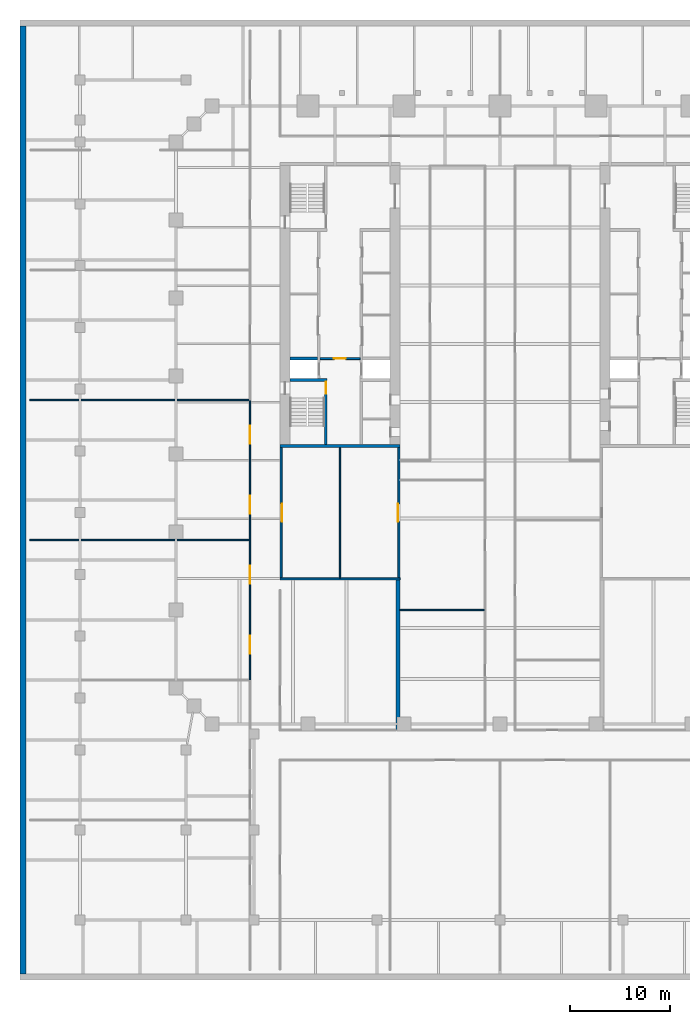
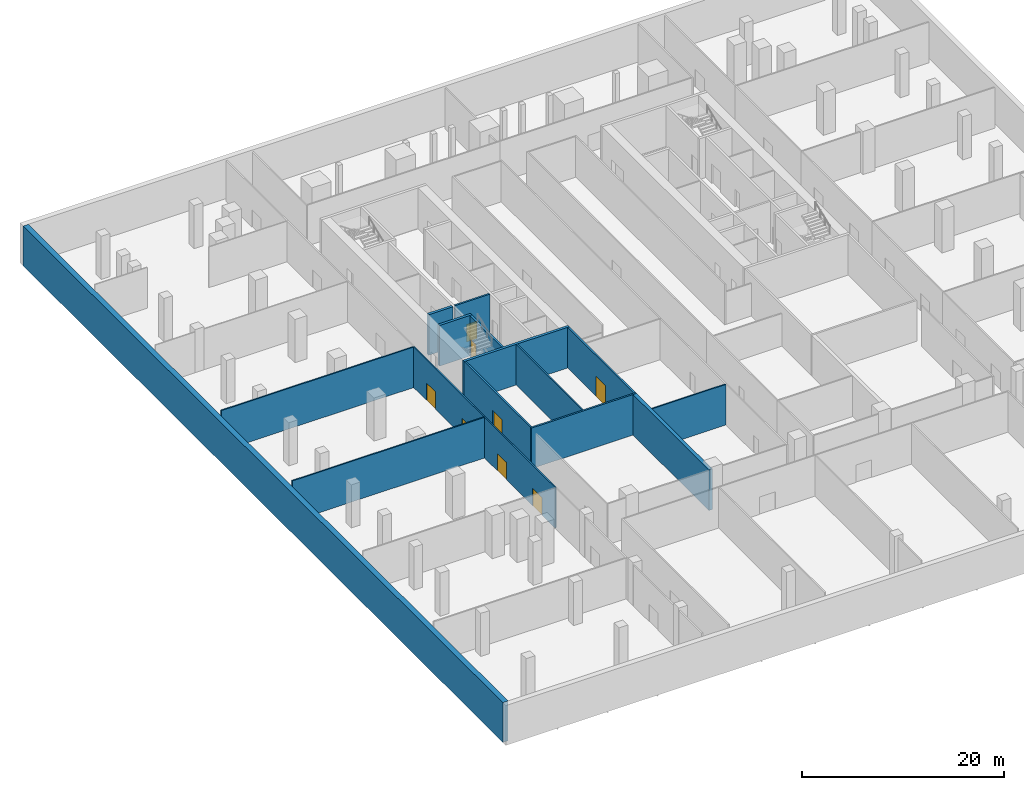
# One storey, part 8 of 15: 16 walls, 8 doors, 8 openings.
"""IFC4 building model written with IfcOpenShell, lengths in metres."""

from ifc_helpers import new_model, si_unit, direction, frame, frame_2d, origin, place, context, subcontext, project, spatial, rectangle, extrude, material, layer, layer_set, type_object, element, fill, save


model = new_model("IFC4")

# Units and contexts
model_context = context("Model", 3, precision=1e-05, world=origin(), true_north=direction((0.0, 1.0)))
body_context = subcontext(model_context, "Body", "Model", "MODEL_VIEW")
ifc_project = project(units=[si_unit("LENGTHUNIT", "METRE"), si_unit("AREAUNIT", "SQUARE_METRE"), si_unit("VOLUMEUNIT", "CUBIC_METRE"), si_unit("PLANEANGLEUNIT", "RADIAN"), si_unit("MASSUNIT", "GRAM", prefix="KILO")], contexts=[model_context])

# Site, building, storey
site_placement = place(None, origin())
site = spatial("IfcSite", under=ifc_project, at=site_placement, CompositionType="ELEMENT")
building_placement = place(site_placement, origin())
building = spatial("IfcBuilding", under=site, at=building_placement, Name="Ogive Exchange Tower", CompositionType="ELEMENT")
storey_placement = place(building_placement, frame((0.0, 0.0, -5.199951171875)))
storey = spatial("IfcBuildingStorey", under=building, at=storey_placement, Name="B1", CompositionType="ELEMENT", Elevation=-5.199951171875)

# Walls
ifc_material_1 = material(Name="Concrete C50/60", Category="concrete")
ifc_layer_1 = layer(ifc_material_1, 0.60009765625)
ifc_layer_set_1 = layer_set([ifc_layer_1], Name="Concrete C50/60 retaining wall 600")
wall_type_1 = type_object("IfcWallType", Name="Concrete C50/60 retaining wall 600", PredefinedType="SOLIDWALL", material=ifc_layer_set_1)
wall_1_placement = place(storey_placement, frame((-47.699951171875, -55.39990234375, 0.0), z_axis=(0.0, 0.0, 1.0), x_axis=(0.0, 1.0, 0.0)))
element("IfcWall", 1, at=wall_1_placement, inside=storey, type_object=wall_type_1, Name="Retaining wall W", PredefinedType="SOLIDWALL", context=body_context, shape_type="SweptSolid", body=[
    extrude(rectangle(XDim=94.7998046875, YDim=0.60009765625, at=frame_2d((47.39990234375, 0.0))), origin(), (0.0, 0.0, 1.0), 4.800048828125),
])
ifc_material_2 = material(Name="Concrete C70/85", Category="concrete")
ifc_layer_2 = layer(ifc_material_2, 0.39990234375)
ifc_layer_set_2 = layer_set([ifc_layer_2], Name="Concrete C70/85 spine wall 400")
wall_type_2 = type_object("IfcWallType", Name="Concrete C70/85 spine wall 400", PredefinedType="SHEAR", material=ifc_layer_set_2)
wall_2_placement = place(storey_placement, frame((-10.199951171875, -31.0, 0.0), z_axis=(0.0, 0.0, 1.0), x_axis=(0.0, 1.0, 0.0)))
element("IfcWall", 2, at=wall_2_placement, inside=storey, type_object=wall_type_2, Name="Spine wall SW", PredefinedType="SHEAR", context=body_context, shape_type="SweptSolid", body=[
    extrude(rectangle(XDim=15.0, YDim=0.39990234375, at=frame_2d((7.5, 0.0))), origin(), (0.0, 0.0, 1.0), 4.89990234375),
])
ifc_material_3 = material(Name="Gypsum board partition")
ifc_layer_3 = layer(ifc_material_3, 0.14990234375)
ifc_layer_set_3 = layer_set([ifc_layer_3], Name="Core room partition 150 gypsum")
wall_type_3 = type_object("IfcWallType", Name="Core room partition 150 gypsum", PredefinedType="PARTITIONING", material=ifc_layer_set_3)
wall_3_placement = place(storey_placement, frame((-16.0, -15.800048828125, 0.0), z_axis=(0.0, 0.0, 1.0), x_axis=(0.0, 1.0, 0.0)))
element("IfcWall", 3, at=wall_3_placement, inside=storey, type_object=wall_type_3, Name="W annex S column wall", PredefinedType="PARTITIONING", context=body_context, shape_type="SweptSolid", body=[
    extrude(rectangle(XDim=13.050048828125, YDim=0.14990234375, at=frame_2d((6.52490234375, 0.0))), origin(), (0.0, 0.0, 1.0), 4.89990234375),
])
ifc_material_4 = material(Name="Fire partition EI 60 150")
ifc_layer_4 = layer(ifc_material_4, 0.14990234375)
ifc_layer_set_4 = layer_set([ifc_layer_4], Name="Fire partition EI 60 150")
wall_type_4 = type_object("IfcWallType", Name="Fire partition EI 60 150", PredefinedType="PARTITIONING", material=ifc_layer_set_4)
wall_4_placement = place(storey_placement, frame((-10.0, -19.0, 0.0), z_axis=(0.0, 0.0, 1.0), x_axis=(1.0, 0.0, 0.0)))
element("IfcWall", 4, at=wall_4_placement, inside=storey, type_object=wall_type_4, Name="B1-PWL-018", PredefinedType="PARTITIONING", context=body_context, shape_type="SweptSolid", body=[
    extrude(rectangle(XDim=8.425048828125, YDim=0.14990234375, at=frame_2d((4.21240234375, 0.0))), origin(), (0.0, 0.0, 1.0), 4.89990234375),
])
for number, where, z_axis, x_axis, name in (
    (5, (-47.0, -12.0, 0.0), (0.0, 0.0, 1.0), (1.0, 0.0, 0.0), "B1-PWL-021"),
    (6, (-47.0, 2.0, 0.0), (0.0, 0.0, 1.0), (1.0, 0.0, 0.0), "B1-PWL-027"),
):
    element("IfcWall", number, at=place(storey_placement, frame(where, z_axis=z_axis, x_axis=x_axis)), inside=storey, type_object=wall_type_4, Name=name, PredefinedType="PARTITIONING", context=body_context, shape_type="SweptSolid", body=[
        extrude(rectangle(XDim=21.925048828125, YDim=0.14990234375, at=frame_2d((10.96240234375, 0.0))), origin(), (0.0, 0.0, 1.0), 4.89990234375),
    ])

# Wall, openings, doors
wall_5_placement = place(storey_placement, frame((-25.0, -26.0, 0.0), z_axis=(0.0, 0.0, 1.0), x_axis=(0.0, 1.0, 0.0)))
wall_5 = element("IfcWall", 7, at=wall_5_placement, inside=storey, type_object=wall_type_4, Name="B1-PWL-044", PredefinedType="PARTITIONING", context=body_context, shape_type="SweptSolid", body=[
    extrude(rectangle(XDim=14.0, YDim=0.14990234375, at=frame_2d((7.0, 0.0))), origin(), (0.0, 0.0, 1.0), 4.89990234375),
])
opening_1_placement = place(wall_5_placement, frame((2.60009765625, 0.0, 0.0)))
opening_1 = element("IfcOpeningElement", 8, at=opening_1_placement, cuts=wall_5, Name="Opening B1-I04", PredefinedType="OPENING", context=body_context, shape_type="SweptSolid", body=[
    extrude(rectangle(XDim=1.800048828125, YDim=2.10009765625, at=frame_2d((0.89990234375, 1.050048828125))), frame((0.0, 0.0849609375, 0.0), z_axis=(0.0, -1.0, 0.0), x_axis=(1.0, 0.0, 0.0)), (0.0, 0.0, 1.0), 0.169921875),
])
opening_2_placement = place(wall_5_placement, frame((9.60009765625, 0.0, 0.0)))
opening_2 = element("IfcOpeningElement", 9, at=opening_2_placement, cuts=wall_5, Name="Opening B1-I05", PredefinedType="OPENING", context=body_context, shape_type="SweptSolid", body=[
    extrude(rectangle(XDim=1.800048828125, YDim=2.10009765625, at=frame_2d((0.89990234375, 1.050048828125))), frame((0.0, 0.0849609375, 0.0), z_axis=(0.0, -1.0, 0.0), x_axis=(1.0, 0.0, 0.0)), (0.0, 0.0, 1.0), 0.169921875),
])
ifc_material_5 = material(Name="Fire door FD 30S 1800 x 2100")
door_type_1 = type_object("IfcDoorType", Name="Fire door FD 30S 1800 x 2100", OperationType="DOUBLE_DOOR_SINGLE_SWING", PredefinedType="DOOR", material=ifc_material_5)
door_1_placement = place(opening_1_placement, frame((1.800048828125, 0.0, 0.0), z_axis=(0.0, 0.0, 1.0), x_axis=(-1.0, 0.0, 0.0)))
door_1 = element("IfcDoor", 10, at=door_1_placement, inside=storey, type_object=door_type_1, Name="B1-IDR-004", ObjectType="DT4", OperationType="SINGLE_SWING_LEFT", OverallHeight=2.10009765625, OverallWidth=1.800048828125, PredefinedType="DOOR", context=body_context, shape_type="SweptSolid", body=[
    extrude(rectangle(XDim=1.800048828125, YDim=2.10009765625, at=frame_2d((0.89990234375, 1.050048828125))), frame((0.0, 0.02490234375, 0.0), z_axis=(0.0, -1.0, 0.0), x_axis=(1.0, 0.0, 0.0)), (0.0, 0.0, 1.0), 0.050048828125),
])
fill(opening_1, door_1)
door_2_placement = place(opening_2_placement, frame((1.800048828125, 0.0, 0.0), z_axis=(0.0, 0.0, 1.0), x_axis=(-1.0, 0.0, 0.0)))
door_2 = element("IfcDoor", 11, at=door_2_placement, inside=storey, type_object=door_type_1, Name="B1-IDR-005", ObjectType="DT4", OperationType="SINGLE_SWING_LEFT", OverallHeight=2.10009765625, OverallWidth=1.800048828125, PredefinedType="DOOR", context=body_context, shape_type="SweptSolid", body=[
    extrude(rectangle(XDim=1.800048828125, YDim=2.10009765625, at=frame_2d((0.89990234375, 1.050048828125))), frame((0.0, 0.02490234375, 0.0), z_axis=(0.0, -1.0, 0.0), x_axis=(1.0, 0.0, 0.0)), (0.0, 0.0, 1.0), 0.050048828125),
])
fill(opening_2, door_2)

wall_6_placement = place(storey_placement, frame((-25.0, -12.0, 0.0), z_axis=(0.0, 0.0, 1.0), x_axis=(0.0, 1.0, 0.0)))
wall_6 = element("IfcWall", 12, at=wall_6_placement, inside=storey, type_object=wall_type_4, Name="B1-PWL-045", PredefinedType="PARTITIONING", context=body_context, shape_type="SweptSolid", body=[
    extrude(rectangle(XDim=14.0, YDim=0.14990234375, at=frame_2d((7.0, 0.0))), origin(), (0.0, 0.0, 1.0), 4.89990234375),
])
opening_3_placement = place(wall_6_placement, frame((2.60009765625, 0.0, 0.0)))
opening_3 = element("IfcOpeningElement", 13, at=opening_3_placement, cuts=wall_6, Name="Opening B1-I06", PredefinedType="OPENING", context=body_context, shape_type="SweptSolid", body=[
    extrude(rectangle(XDim=1.800048828125, YDim=2.10009765625, at=frame_2d((0.89990234375, 1.050048828125))), frame((0.0, 0.0849609375, 0.0), z_axis=(0.0, -1.0, 0.0), x_axis=(1.0, 0.0, 0.0)), (0.0, 0.0, 1.0), 0.169921875),
])
opening_4_placement = place(wall_6_placement, frame((9.60009765625, 0.0, 0.0)))
opening_4 = element("IfcOpeningElement", 14, at=opening_4_placement, cuts=wall_6, Name="Opening B1-I07", PredefinedType="OPENING", context=body_context, shape_type="SweptSolid", body=[
    extrude(rectangle(XDim=1.800048828125, YDim=2.10009765625, at=frame_2d((0.89990234375, 1.050048828125))), frame((0.0, 0.0849609375, 0.0), z_axis=(0.0, -1.0, 0.0), x_axis=(1.0, 0.0, 0.0)), (0.0, 0.0, 1.0), 0.169921875),
])
door_3_placement = place(opening_3_placement, frame((1.800048828125, 0.0, 0.0), z_axis=(0.0, 0.0, 1.0), x_axis=(-1.0, 0.0, 0.0)))
door_3 = element("IfcDoor", 15, at=door_3_placement, inside=storey, type_object=door_type_1, Name="B1-IDR-006", ObjectType="DT4", OperationType="SINGLE_SWING_LEFT", OverallHeight=2.10009765625, OverallWidth=1.800048828125, PredefinedType="DOOR", context=body_context, shape_type="SweptSolid", body=[
    extrude(rectangle(XDim=1.800048828125, YDim=2.10009765625, at=frame_2d((0.89990234375, 1.050048828125))), frame((0.0, 0.02490234375, 0.0), z_axis=(0.0, -1.0, 0.0), x_axis=(1.0, 0.0, 0.0)), (0.0, 0.0, 1.0), 0.050048828125),
])
fill(opening_3, door_3)
door_4_placement = place(opening_4_placement, frame((1.800048828125, 0.0, 0.0), z_axis=(0.0, 0.0, 1.0), x_axis=(-1.0, 0.0, 0.0)))
door_4 = element("IfcDoor", 16, at=door_4_placement, inside=storey, type_object=door_type_1, Name="B1-IDR-007", ObjectType="DT4", OperationType="SINGLE_SWING_LEFT", OverallHeight=2.10009765625, OverallWidth=1.800048828125, PredefinedType="DOOR", context=body_context, shape_type="SweptSolid", body=[
    extrude(rectangle(XDim=1.800048828125, YDim=2.10009765625, at=frame_2d((0.89990234375, 1.050048828125))), frame((0.0, 0.02490234375, 0.0), z_axis=(0.0, -1.0, 0.0), x_axis=(1.0, 0.0, 0.0)), (0.0, 0.0, 1.0), 0.050048828125),
])
fill(opening_4, door_4)

# Wall, opening, door
ifc_layer_5 = layer(ifc_material_2, 0.199951171875)
ifc_layer_set_5 = layer_set([ifc_layer_5], Name="RC core wall 200 C70/85")
wall_type_5 = type_object("IfcWallType", Name="RC core wall 200 C70/85", PredefinedType="SHEAR", material=ifc_layer_set_5)
wall_7_placement = place(storey_placement, frame((-18.0, 6.142822265625, 0.0), z_axis=(0.0, 0.0, 1.0), x_axis=(1.0, 0.0, 0.0)))
wall_7 = element("IfcWall", 17, at=wall_7_placement, inside=storey, type_object=wall_type_5, Name="W firefighting lobby wall", PredefinedType="SHEAR", context=body_context, shape_type="SweptSolid", body=[
    extrude(rectangle(XDim=4.0, YDim=0.199951171875, at=frame_2d((2.0, 0.0))), origin(), (0.0, 0.0, 1.0), 4.89990234375),
])
opening_5_placement = place(wall_7_placement, frame((1.39990234375, 0.0, 0.0)))
opening_5 = element("IfcOpeningElement", 18, at=opening_5_placement, cuts=wall_7, Name="Opening B1-C08", PredefinedType="OPENING", context=body_context, shape_type="SweptSolid", body=[
    extrude(rectangle(XDim=1.199951171875, YDim=2.10009765625, at=frame_2d((0.60009765625, 1.050048828125))), frame((0.0, 0.10986328125, 0.0), z_axis=(0.0, -1.0, 0.0), x_axis=(1.0, 0.0, 0.0)), (0.0, 0.0, 1.0), 0.219970703125),
])
ifc_material_6 = material(Name="Steel fire door", Category="steel")
door_type_2 = type_object("IfcDoorType", Name="Firefighting lobby door FD60 1200 x 2100", OperationType="NOTDEFINED", PredefinedType="DOOR", material=ifc_material_6)
door_5_placement = place(opening_5_placement, frame((1.199951171875, 0.0, 0.0), z_axis=(0.0, 0.0, 1.0), x_axis=(-1.0, 0.0, 0.0)))
door_5 = element("IfcDoor", 19, at=door_5_placement, inside=storey, type_object=door_type_2, Name="Firefighting lobby door", ObjectType="CD3", OperationType="SINGLE_SWING_RIGHT", OverallHeight=2.10009765625, OverallWidth=1.199951171875, PredefinedType="DOOR", context=body_context, shape_type="SweptSolid", body=[
    extrude(rectangle(XDim=1.199951171875, YDim=2.10009765625, at=frame_2d((0.60009765625, 1.050048828125))), frame((0.0, 0.02490234375, 0.0), z_axis=(0.0, -1.0, 0.0), x_axis=(1.0, 0.0, 0.0)), (0.0, 0.0, 1.0), 0.050048828125),
])
fill(opening_5, door_5)

wall_8_placement = place(storey_placement, frame((-21.89990234375, -15.800048828125, 0.0), z_axis=(0.0, 0.0, 1.0), x_axis=(0.0, 1.0, 0.0)))
wall_8 = element("IfcWall", 20, at=wall_8_placement, inside=storey, type_object=wall_type_5, Name="W annex S outer wall", PredefinedType="SHEAR", context=body_context, shape_type="SweptSolid", body=[
    extrude(rectangle(XDim=13.050048828125, YDim=0.199951171875, at=frame_2d((6.52490234375, 0.0))), origin(), (0.0, 0.0, 1.0), 4.89990234375),
])
opening_6_placement = place(wall_8_placement, frame((5.625, 0.0, 0.0)))
opening_6 = element("IfcOpeningElement", 21, at=opening_6_placement, cuts=wall_8, Name="Opening B1-C16", PredefinedType="OPENING", context=body_context, shape_type="SweptSolid", body=[
    extrude(rectangle(XDim=1.800048828125, YDim=2.39990234375, at=frame_2d((0.89990234375, 1.199951171875))), frame((0.0, 0.10986328125, 0.0), z_axis=(0.0, -1.0, 0.0), x_axis=(1.0, 0.0, 0.0)), (0.0, 0.0, 1.0), 0.219970703125),
])
door_type_3 = type_object("IfcDoorType", Name="Plant room door FD60 1800 x 2400", OperationType="DOUBLE_DOOR_SINGLE_SWING", PredefinedType="DOOR", material=ifc_material_6)
door_6_placement = place(opening_6_placement, frame((1.800048828125, -0.14990234375, 0.0), z_axis=(0.0, 0.0, 1.0), x_axis=(-1.0, 0.0, 0.0)))
door_6 = element("IfcDoor", 22, at=door_6_placement, inside=storey, type_object=door_type_3, Name="Plant room door", ObjectType="CD1", OperationType="DOUBLE_DOOR_SINGLE_SWING", OverallHeight=2.39990234375, OverallWidth=1.800048828125, PredefinedType="DOOR", context=body_context, shape_type="SweptSolid", body=[
    extrude(rectangle(XDim=1.800048828125, YDim=2.39990234375, at=frame_2d((0.89990234375, 1.199951171875))), frame((0.0, -0.0498046875, 0.0), z_axis=(0.0, -1.0, 0.0), x_axis=(1.0, 0.0, 0.0)), (0.0, 0.0, 1.0), 0.050048828125),
])
fill(opening_6, door_6)

wall_9_placement = place(storey_placement, frame((-10.10009765625, -15.800048828125, 0.0), z_axis=(0.0, 0.0, 1.0), x_axis=(0.0, 1.0, 0.0)))
wall_9 = element("IfcWall", 23, at=wall_9_placement, inside=storey, type_object=wall_type_5, Name="W annex S inner wall", PredefinedType="SHEAR", context=body_context, shape_type="SweptSolid", body=[
    extrude(rectangle(XDim=13.050048828125, YDim=0.199951171875, at=frame_2d((6.52490234375, 0.0))), origin(), (0.0, 0.0, 1.0), 4.89990234375),
])
opening_7_placement = place(wall_9_placement, frame((5.625, 0.0, 0.0)))
opening_7 = element("IfcOpeningElement", 24, at=opening_7_placement, cuts=wall_9, Name="Opening B1-C17", PredefinedType="OPENING", context=body_context, shape_type="SweptSolid", body=[
    extrude(rectangle(XDim=1.800048828125, YDim=2.39990234375, at=frame_2d((0.89990234375, 1.199951171875))), frame((0.0, 0.10986328125, 0.0), z_axis=(0.0, -1.0, 0.0), x_axis=(1.0, 0.0, 0.0)), (0.0, 0.0, 1.0), 0.219970703125),
])
door_7_placement = place(opening_7_placement, origin())
door_7 = element("IfcDoor", 25, at=door_7_placement, inside=storey, type_object=door_type_3, Name="Plant room door", ObjectType="CD1", OperationType="DOUBLE_DOOR_SINGLE_SWING", OverallHeight=2.39990234375, OverallWidth=1.800048828125, PredefinedType="DOOR", context=body_context, shape_type="SweptSolid", body=[
    extrude(rectangle(XDim=1.800048828125, YDim=2.39990234375, at=frame_2d((0.89990234375, 1.199951171875))), frame((0.0, 0.10009765625, 0.0), z_axis=(0.0, -1.0, 0.0), x_axis=(1.0, 0.0, 0.0)), (0.0, 0.0, 1.0), 0.050048828125),
])
fill(opening_7, door_7)

# Wall
wall_10_placement = place(storey_placement, frame((-22.0, -15.89990234375, 0.0), z_axis=(0.0, 0.0, 1.0), x_axis=(1.0, 0.0, 0.0)))
element("IfcWall", 26, at=wall_10_placement, inside=storey, type_object=wall_type_5, Name="W annex S end wall", PredefinedType="SHEAR", context=body_context, shape_type="SweptSolid", body=[
    extrude(rectangle(XDim=12.0, YDim=0.199951171875, at=frame_2d((6.0, 0.0))), origin(), (0.0, 0.0, 1.0), 4.89990234375),
])

# Wall, opening, door
ifc_layer_6 = layer(ifc_material_2, 0.25)
ifc_layer_set_6 = layer_set([ifc_layer_6], Name="RC core wall 250 C70/85")
wall_type_6 = type_object("IfcWallType", Name="RC core wall 250 C70/85", PredefinedType="SHEAR", material=ifc_layer_set_6)
wall_11_placement = place(storey_placement, frame((-17.425048828125, -2.449951171875, 0.0), z_axis=(0.0, 0.0, 1.0), x_axis=(0.0, 1.0, 0.0)))
wall_11 = element("IfcWall", 27, at=wall_11_placement, inside=storey, type_object=wall_type_6, Name="W stair S front wall", PredefinedType="SHEAR", context=body_context, shape_type="SweptSolid", body=[
    extrude(rectangle(XDim=6.300048828125, YDim=0.25, at=frame_2d((3.14990234375, 0.0))), origin(), (0.0, 0.0, 1.0), 4.89990234375),
])
opening_8_placement = place(wall_11_placement, frame((5.050048828125, 0.0, 0.0)))
opening_8 = element("IfcOpeningElement", 28, at=opening_8_placement, cuts=wall_11, Name="Opening B1-C10", PredefinedType="OPENING", context=body_context, shape_type="SweptSolid", body=[
    extrude(rectangle(XDim=1.199951171875, YDim=2.10009765625, at=frame_2d((0.60009765625, 1.050048828125))), frame((0.0, 0.135009765625, 0.0), z_axis=(0.0, -1.0, 0.0), x_axis=(1.0, 0.0, 0.0)), (0.0, 0.0, 1.0), 0.27001953125),
])
door_type_4 = type_object("IfcDoorType", Name="Stair door FD90 1200 x 2100", OperationType="NOTDEFINED", PredefinedType="DOOR", material=ifc_material_6)
door_8_placement = place(opening_8_placement, origin())
door_8 = element("IfcDoor", 29, at=door_8_placement, inside=storey, type_object=door_type_4, Name="Stair door", ObjectType="CD5", OperationType="SINGLE_SWING_LEFT", OverallHeight=2.10009765625, OverallWidth=1.199951171875, PredefinedType="DOOR", context=body_context, shape_type="SweptSolid", body=[
    extrude(rectangle(XDim=1.199951171875, YDim=2.10009765625, at=frame_2d((0.60009765625, 1.050048828125))), frame((0.0, 0.02490234375, 0.0), z_axis=(0.0, -1.0, 0.0), x_axis=(1.0, 0.0, 0.0)), (0.0, 0.0, 1.0), 0.050048828125),
])
fill(opening_8, door_8)

# Walls
ifc_layer_7 = layer(ifc_material_2, 0.300048828125)
ifc_layer_set_7 = layer_set([ifc_layer_7], Name="RC core wall 300 C70/85")
wall_type_7 = type_object("IfcWallType", Name="RC core wall 300 C70/85", PredefinedType="SHEAR", material=ifc_layer_set_7)
wall_12_placement = place(storey_placement, frame((-22.0, -2.60009765625, 0.0), z_axis=(0.0, 0.0, 1.0), x_axis=(1.0, 0.0, 0.0)))
element("IfcWall", 30, at=wall_12_placement, inside=storey, type_object=wall_type_7, Name="W south end wall", PredefinedType="SHEAR", context=body_context, shape_type="SweptSolid", body=[
    extrude(rectangle(XDim=12.0, YDim=0.300048828125, at=frame_2d((6.0, 0.0))), origin(), (0.0, 0.0, 1.0), 4.89990234375),
])
wall_13_placement = place(storey_placement, frame((-21.0, 4.0, 0.0), z_axis=(0.0, 0.0, 1.0), x_axis=(1.0, 0.0, 0.0)))
element("IfcWall", 31, at=wall_13_placement, inside=storey, type_object=wall_type_7, Name="W stair S north wall", PredefinedType="SHEAR", context=body_context, shape_type="SweptSolid", body=[
    extrude(rectangle(XDim=3.699951171875, YDim=0.300048828125, at=frame_2d((1.85009765625, 0.0))), origin(), (0.0, 0.0, 1.0), 4.89990234375),
])
wall_14_placement = place(storey_placement, frame((-21.0, 6.142822265625, 0.0), z_axis=(0.0, 0.0, 1.0), x_axis=(1.0, 0.0, 0.0)))
element("IfcWall", 32, at=wall_14_placement, inside=storey, type_object=wall_type_7, Name="W row A divider 1", PredefinedType="SHEAR", context=body_context, shape_type="SweptSolid", body=[
    extrude(rectangle(XDim=2.75, YDim=0.300048828125, at=frame_2d((1.375, 0.0))), origin(), (0.0, 0.0, 1.0), 4.89990234375),
])

save(model, "model.ifc")
